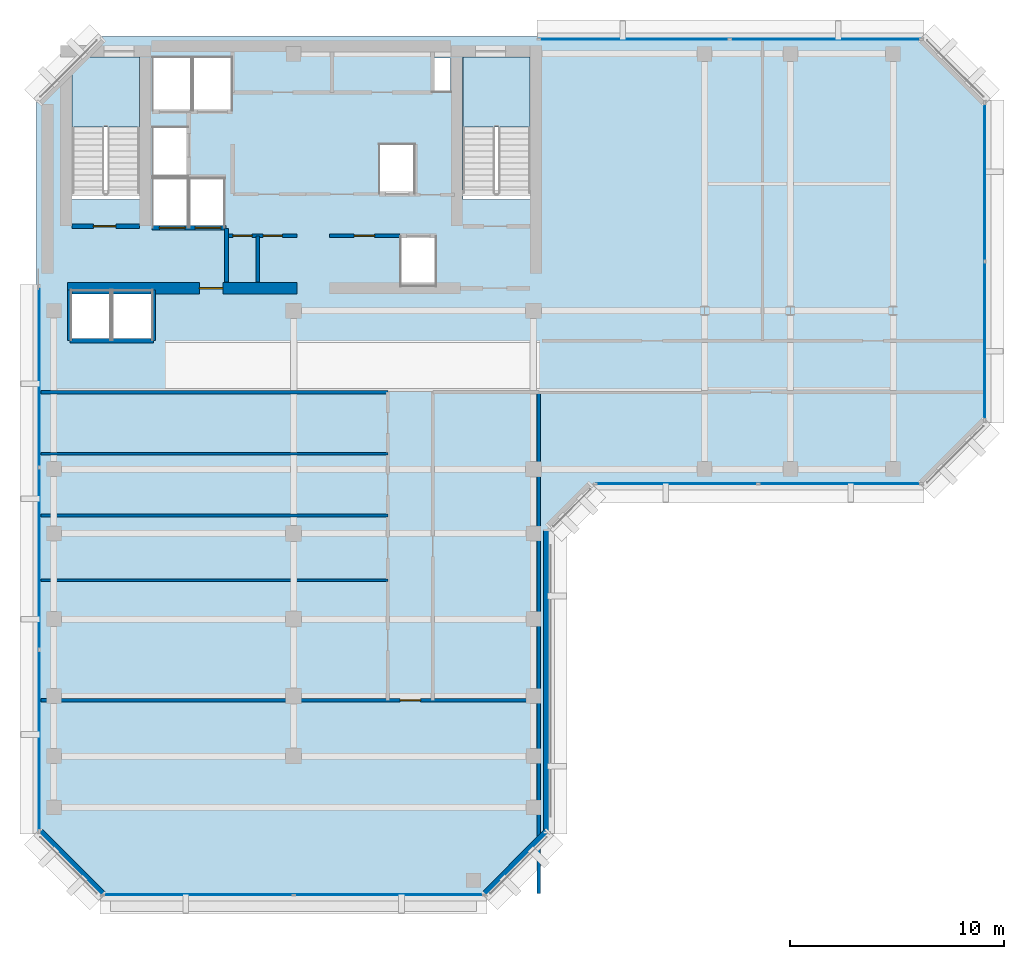
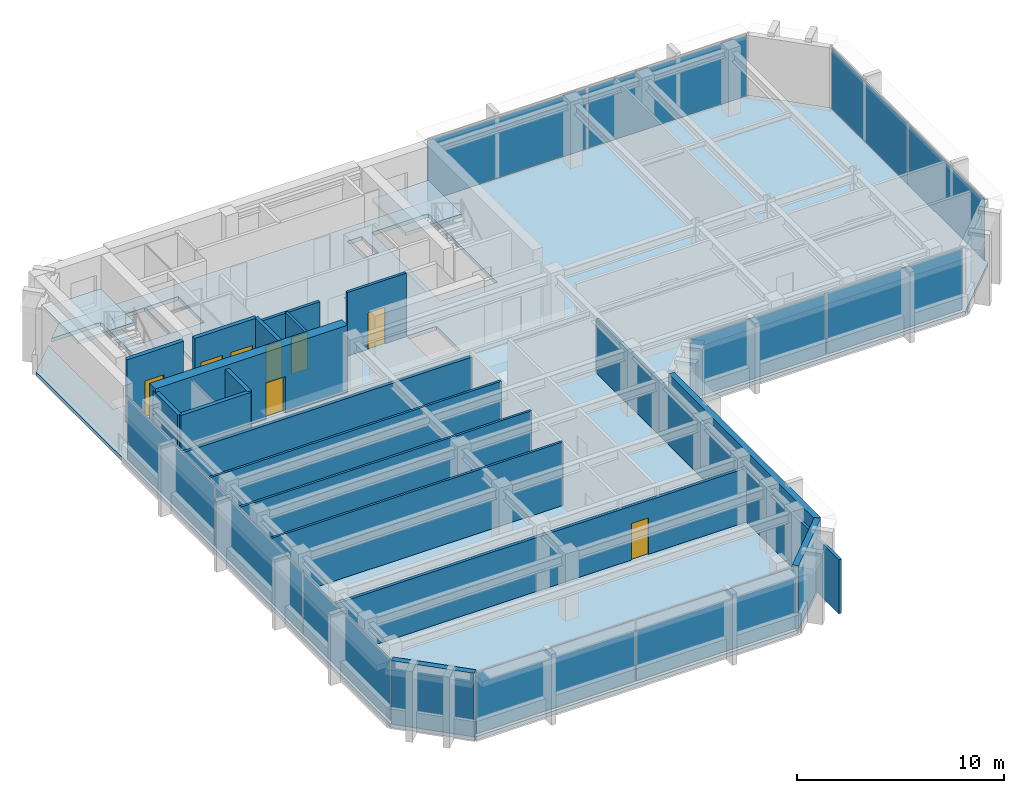
# One storey, part 6 of 11: 19 walls, 11 plates, 8 doors, 3 slabs, 8 openings, 7 elements without a shape of their own.
"""IFC4 building model written with IfcOpenShell, lengths in metres."""

from ifc_helpers import new_model, si_unit, direction, frame, frame_2d, origin, origin_2d, place, context, subcontext, project, spatial, polyline, rectangle, outline, extrude, material, layer, layer_set, type_object, element, fill, aggregate, save


model = new_model("IFC4")

# Units and contexts
model_context = context("Model", 3, precision=1e-05, world=origin(), true_north=direction((0.0, 1.0)))
body_context = subcontext(model_context, "Body", "Model", "MODEL_VIEW")
ifc_project = project(units=[si_unit("LENGTHUNIT", "METRE"), si_unit("AREAUNIT", "SQUARE_METRE"), si_unit("VOLUMEUNIT", "CUBIC_METRE"), si_unit("PLANEANGLEUNIT", "RADIAN"), si_unit("MASSUNIT", "GRAM", prefix="KILO")], contexts=[model_context])

# Site, building, storey
site_placement = place(None, origin())
site = spatial("IfcSite", under=ifc_project, at=site_placement, CompositionType="ELEMENT")
building_placement = place(site_placement, origin())
building = spatial("IfcBuilding", under=site, at=building_placement, Name="Kefirva Bronze Tower", CompositionType="ELEMENT")
storey_placement = place(building_placement, frame((0.0, 0.0, 276.2099609375)))
storey = spatial("IfcBuildingStorey", under=building, at=storey_placement, Name="L67", CompositionType="ELEMENT", Elevation=276.2099609375)

# Stair, slab
ifc_material_1 = material(Name="Concrete C40/50", Category="concrete")
stair_type = type_object("IfcStairType", Name="RC Dogleg Protected Stair 24R", PredefinedType="HALF_TURN_STAIR", material=ifc_material_1)
stair_1_placement = place(storey_placement, origin())
stair_1 = element("IfcStair", 1, at=stair_1_placement, inside=storey, type_object=stair_type, Name="L67 Protected Exit Stair 1", PredefinedType="HALF_TURN_STAIR")
ifc_layer_1 = layer(ifc_material_1, 0.199951171875, Name="Concrete C40/50")
ifc_layer_set_1 = layer_set([ifc_layer_1], Name="Concrete C40/50")
slab_type_1 = type_object("IfcSlabType", Name="RC Stair Landing Slab 200mm", PredefinedType="LANDING", material=ifc_layer_set_1)
slab_1_placement = place(storey_placement, frame((0.0, 0.0, 1.780029296875)))
slab_1 = element("IfcSlab", 2, at=slab_1_placement, type_object=slab_type_1, Name="ST-1 landing 1", PredefinedType="LANDING", context=body_context, shape_type="SweptSolid", body=[
    extrude(outline(polyline([(4.800048828125, 41.780029296875), (4.800048828125, 45.050048828125), (1.64990234375, 45.050048828125), (1.64990234375, 41.780029296875), (4.800048828125, 41.780029296875)])), origin(), (0.0, 0.0, 1.0), 0.199951171875),
])
aggregate(stair_1, [slab_1])

stair_2_placement = place(storey_placement, origin())
stair_2 = element("IfcStair", 3, at=stair_2_placement, inside=storey, type_object=stair_type, Name="L67 Protected Exit Stair 2", PredefinedType="HALF_TURN_STAIR")
slab_2_placement = place(storey_placement, frame((0.0, 0.0, 1.780029296875)))
slab_2 = element("IfcSlab", 4, at=slab_2_placement, type_object=slab_type_1, Name="ST-2 landing 1", PredefinedType="LANDING", context=body_context, shape_type="SweptSolid", body=[
    extrude(outline(polyline([(23.050048828125, 41.780029296875), (23.050048828125, 45.050048828125), (19.89990234375, 45.050048828125), (19.89990234375, 41.780029296875), (23.050048828125, 41.780029296875)])), origin(), (0.0, 0.0, 1.0), 0.199951171875),
])
aggregate(stair_2, [slab_2])

# Slab
ifc_layer_2 = layer(ifc_material_1, 0.219970703125, Name="Concrete C40/50")
ifc_layer_set_2 = layer_set([ifc_layer_2], Name="Concrete C40/50")
slab_type_2 = type_object("IfcSlabType", Name="RC Upper Floor Slab 220mm", PredefinedType="FLOOR", material=ifc_layer_set_2)
slab_3_placement = place(storey_placement, frame((0.0, 0.0, -0.219970703125)))
element("IfcSlab", 5, at=slab_3_placement, inside=storey, type_object=slab_type_2, Name="L67 Structural Floor Slab", PredefinedType="FLOOR", context=body_context, shape_type="SweptSolid", body=[
    extrude(outline(polyline([(0.0, 8.800048828125), (0.0, 43.0), (1.64990234375, 44.64990234375), (1.64990234375, 38.39990234375), (4.800048828125, 38.39990234375), (4.800048828125, 45.050048828125), (2.050048828125, 45.050048828125), (3.0, 46.0), (41.39990234375, 46.0), (44.39990234375, 43.0), (44.39990234375, 28.0), (41.39990234375, 25.0), (26.0, 25.0), (24.0, 23.0), (24.0, 8.800048828125), (21.0, 5.800048828125), (3.0, 5.800048828125), (0.0, 8.800048828125)]), holes=[polyline([(23.050048828125, 45.050048828125), (19.89990234375, 45.050048828125), (19.89990234375, 38.39990234375), (23.050048828125, 38.39990234375), (23.050048828125, 45.050048828125)]), polyline([(19.320068359375, 43.419921875), (19.320068359375, 45.0), (18.52001953125, 45.0), (18.52001953125, 43.419921875), (19.320068359375, 43.419921875)]), polyline([(18.64990234375, 36.64990234375), (17.0, 36.64990234375), (17.0, 34.35009765625), (18.64990234375, 34.35009765625), (18.64990234375, 36.64990234375)]), polyline([(17.64990234375, 38.679931640625), (17.64990234375, 40.97998046875), (16.0, 40.97998046875), (16.0, 38.679931640625), (17.64990234375, 38.679931640625)]), polyline([(9.1201171875, 42.550048828125), (9.1201171875, 45.050048828125), (7.300048828125, 45.050048828125), (7.300048828125, 42.550048828125), (9.1201171875, 42.550048828125)]), polyline([(8.780029296875, 37.10009765625), (8.780029296875, 39.39990234375), (7.139892578125, 39.39990234375), (7.139892578125, 37.10009765625), (8.780029296875, 37.10009765625)]), polyline([(7.239990234375, 42.550048828125), (7.239990234375, 45.050048828125), (5.419921875, 45.050048828125), (5.419921875, 42.550048828125), (7.239990234375, 42.550048828125)]), polyline([(7.06005859375, 37.10009765625), (7.06005859375, 39.39990234375), (5.419921875, 39.39990234375), (5.419921875, 37.10009765625), (7.06005859375, 37.10009765625)]), polyline([(7.06005859375, 41.780029296875), (5.419921875, 41.780029296875), (5.419921875, 39.47998046875), (7.06005859375, 39.47998046875), (7.06005859375, 41.780029296875)]), polyline([(5.39990234375, 31.85009765625), (5.39990234375, 34.14990234375), (3.550048828125, 34.14990234375), (3.550048828125, 31.85009765625), (5.39990234375, 31.85009765625)]), polyline([(3.449951171875, 34.14990234375), (1.60009765625, 34.14990234375), (1.60009765625, 31.85009765625), (3.449951171875, 31.85009765625), (3.449951171875, 34.14990234375)])]), origin(), (0.0, 0.0, 1.0), 0.219970703125),
])

# Curtain wall, plates
ifc_material_2 = material(Name="Bronze anodised aluminium", Category="aluminium")
ifc_layer_3 = layer(ifc_material_2, 0.179931640625, Name="Bronze anodised aluminium")
ifc_layer_set_3 = layer_set([ifc_layer_3], Name="Bronze anodised aluminium")
curtain_wall_type = type_object("IfcCurtainWallType", Name="Unitised Bronze Ribbon Curtain Wall Zone 4", PredefinedType="USERDEFINED", material=ifc_layer_set_3)
curtain_wall_1_placement = place(storey_placement, origin())
curtain_wall_1 = element("IfcCurtainWall", 6, at=curtain_wall_1_placement, inside=storey, type_object=curtain_wall_type, Name="L67 Curtain Wall 1", ObjectType="UNITISED CURTAIN WALL", PredefinedType="USERDEFINED")
ifc_material_3 = material(Name="Laminated low-E double glazing", Category="glass")
ifc_layer_4 = layer(ifc_material_3, 0.031982421875, Name="Laminated low-E double glazing")
ifc_layer_set_4 = layer_set([ifc_layer_4], Name="Laminated low-E double glazing")
plate_type = type_object("IfcPlateType", Name="Solar-Control Low-E Vision Panel 32mm", PredefinedType="CURTAIN_PANEL", material=ifc_layer_set_4)
plate_1_placement = place(storey_placement, frame((7.546142578125, 5.919921875, 0.0751953125), z_axis=(0.0, 0.0, 1.0), x_axis=(1.0, 0.0, 0.0)))
plate_1 = element("IfcPlate", 7, at=plate_1_placement, type_object=plate_type, Name="CW-04 panel 1.1", PredefinedType="CURTAIN_PANEL", context=body_context, shape_type="SweptSolid", body=[
    extrude(rectangle(XDim=8.83251953125, YDim=0.031982421875, at=origin_2d()), origin(), (0.0, 0.0, 1.0), 3.590087890625),
])
plate_2_placement = place(storey_placement, frame((16.453857421875, 5.919921875, 0.0751953125), z_axis=(0.0, 0.0, 1.0), x_axis=(1.0, 0.0, 0.0)))
plate_2 = element("IfcPlate", 8, at=plate_2_placement, type_object=plate_type, Name="CW-04 panel 2.1", PredefinedType="CURTAIN_PANEL", context=body_context, shape_type="SweptSolid", body=[
    extrude(rectangle(XDim=8.83251953125, YDim=0.031982421875, at=origin_2d()), origin(), (0.0, 0.0, 1.0), 3.590087890625),
])
aggregate(curtain_wall_1, [plate_1, plate_2])

curtain_wall_2_placement = place(storey_placement, origin())
curtain_wall_2 = element("IfcCurtainWall", 9, at=curtain_wall_2_placement, inside=storey, type_object=curtain_wall_type, Name="L67 Curtain Wall 2", ObjectType="UNITISED CURTAIN WALL", PredefinedType="USERDEFINED")
plate_3_placement = place(storey_placement, frame((29.896240234375, 25.1201171875, 0.0751953125), z_axis=(0.0, 0.0, 1.0), x_axis=(1.0, 0.0, 0.0)))
plate_3 = element("IfcPlate", 10, at=plate_3_placement, type_object=plate_type, Name="CW-04 panel 1.1", PredefinedType="CURTAIN_PANEL", context=body_context, shape_type="SweptSolid", body=[
    extrude(rectangle(XDim=7.532470703125, YDim=0.031982421875, at=origin_2d()), origin(), (0.0, 0.0, 1.0), 3.590087890625),
])
plate_4_placement = place(storey_placement, frame((37.503662109375, 25.1201171875, 0.0751953125), z_axis=(0.0, 0.0, 1.0), x_axis=(1.0, 0.0, 0.0)))
plate_4 = element("IfcPlate", 11, at=plate_4_placement, type_object=plate_type, Name="CW-04 panel 2.1", PredefinedType="CURTAIN_PANEL", context=body_context, shape_type="SweptSolid", body=[
    extrude(rectangle(XDim=7.532470703125, YDim=0.031982421875, at=origin_2d()), origin(), (0.0, 0.0, 1.0), 3.590087890625),
])
aggregate(curtain_wall_2, [plate_3, plate_4])

curtain_wall_3_placement = place(storey_placement, origin())
curtain_wall_3 = element("IfcCurtainWall", 12, at=curtain_wall_3_placement, inside=storey, type_object=curtain_wall_type, Name="L67 Curtain Wall 3", ObjectType="UNITISED CURTAIN WALL", PredefinedType="USERDEFINED")
plate_5_placement = place(storey_placement, frame((44.280029296875, 31.796142578125, 0.0751953125), z_axis=(0.0, 0.0, 1.0), x_axis=(0.0, 1.0, 0.0)))
plate_5 = element("IfcPlate", 13, at=plate_5_placement, type_object=plate_type, Name="CW-04 panel 1.1", PredefinedType="CURTAIN_PANEL", context=body_context, shape_type="SweptSolid", body=[
    extrude(rectangle(XDim=7.33251953125, YDim=0.031982421875, at=origin_2d()), origin(), (0.0, 0.0, 1.0), 3.590087890625),
])
plate_6_placement = place(storey_placement, frame((44.280029296875, 39.203857421875, 0.0751953125), z_axis=(0.0, 0.0, 1.0), x_axis=(0.0, 1.0, 0.0)))
plate_6 = element("IfcPlate", 14, at=plate_6_placement, type_object=plate_type, Name="CW-04 panel 2.1", PredefinedType="CURTAIN_PANEL", context=body_context, shape_type="SweptSolid", body=[
    extrude(rectangle(XDim=7.33251953125, YDim=0.031982421875, at=origin_2d()), origin(), (0.0, 0.0, 1.0), 3.590087890625),
])
aggregate(curtain_wall_3, [plate_5, plate_6])

curtain_wall_4_placement = place(storey_placement, origin())
curtain_wall_4 = element("IfcCurtainWall", 15, at=curtain_wall_4_placement, inside=storey, type_object=curtain_wall_type, Name="L67 Curtain Wall 4", ObjectType="UNITISED CURTAIN WALL", PredefinedType="USERDEFINED")
plate_7_placement = place(storey_placement, frame((36.84130859375, 45.8798828125, 0.0751953125), z_axis=(0.0, 0.0, 1.0), x_axis=(-1.0, 0.0, 0.0)))
plate_7 = element("IfcPlate", 16, at=plate_7_placement, type_object=plate_type, Name="CW-04 panel 1.1", PredefinedType="CURTAIN_PANEL", context=body_context, shape_type="SweptSolid", body=[
    extrude(rectangle(XDim=8.857421875, YDim=0.031982421875, at=origin_2d()), origin(), (0.0, 0.0, 1.0), 3.590087890625),
])
plate_8_placement = place(storey_placement, frame((27.90869140625, 45.8798828125, 0.0751953125), z_axis=(0.0, 0.0, 1.0), x_axis=(-1.0, 0.0, 0.0)))
plate_8 = element("IfcPlate", 17, at=plate_8_placement, type_object=plate_type, Name="CW-04 panel 2.1", PredefinedType="CURTAIN_PANEL", context=body_context, shape_type="SweptSolid", body=[
    extrude(rectangle(XDim=8.857421875, YDim=0.031982421875, at=origin_2d()), origin(), (0.0, 0.0, 1.0), 3.590087890625),
])
aggregate(curtain_wall_4, [plate_7, plate_8])

curtain_wall_5_placement = place(storey_placement, origin())
curtain_wall_5 = element("IfcCurtainWall", 18, at=curtain_wall_5_placement, inside=storey, type_object=curtain_wall_type, Name="L67 Curtain Wall 5", ObjectType="UNITISED CURTAIN WALL", PredefinedType="USERDEFINED")
plate_9_placement = place(storey_placement, frame((0.1201171875, 30.11962890625, 0.0751953125), z_axis=(0.0, 0.0, 1.0), x_axis=(0.0, -1.0, 0.0)))
plate_9 = element("IfcPlate", 19, at=plate_9_placement, type_object=plate_type, Name="CW-04 panel 1.1", PredefinedType="CURTAIN_PANEL", context=body_context, shape_type="SweptSolid", body=[
    extrude(rectangle(XDim=8.40087890625, YDim=0.031982421875, at=origin_2d()), origin(), (0.0, 0.0, 1.0), 3.590087890625),
])
plate_10_placement = place(storey_placement, frame((0.1201171875, 21.625, 0.0751953125), z_axis=(0.0, 0.0, 1.0), x_axis=(0.0, -1.0, 0.0)))
plate_10 = element("IfcPlate", 20, at=plate_10_placement, type_object=plate_type, Name="CW-04 panel 2.1", PredefinedType="CURTAIN_PANEL", context=body_context, shape_type="SweptSolid", body=[
    extrude(rectangle(XDim=8.438232421875, YDim=0.031982421875, at=origin_2d()), origin(), (0.0, 0.0, 1.0), 3.590087890625),
])
plate_11_placement = place(storey_placement, frame((0.1201171875, 13.13037109375, 0.0751953125), z_axis=(0.0, 0.0, 1.0), x_axis=(0.0, -1.0, 0.0)))
plate_11 = element("IfcPlate", 21, at=plate_11_placement, type_object=plate_type, Name="CW-04 panel 3.1", PredefinedType="CURTAIN_PANEL", context=body_context, shape_type="SweptSolid", body=[
    extrude(rectangle(XDim=8.40087890625, YDim=0.031982421875, at=origin_2d()), origin(), (0.0, 0.0, 1.0), 3.590087890625),
])
aggregate(curtain_wall_5, [plate_9, plate_10, plate_11])

# Walls
ifc_material_4 = material(Name="Gypsum acoustic partition")
ifc_layer_5 = layer(ifc_material_4, 0.1298828125, Name="Gypsum acoustic partition")
ifc_layer_set_5 = layer_set([ifc_layer_5], Name="Gypsum acoustic partition")
wall_type_1 = type_object("IfcWallType", Name="Acoustic Office Partition 130mm", PredefinedType="PARTITIONING", material=ifc_layer_set_5)
for number, where, z_axis, x_axis, name in (
    (22, (0.18994140625, 20.615966796875, 0.0), (0.0, 0.0, 1.0), (1.0, 0.0, 0.0), "L67 Partition W-L67-SWD1"),
    (23, (0.18994140625, 23.639892578125, 0.0), (0.0, 0.0, 1.0), (1.0, 0.0, 0.0), "L67 Partition W-L67-SWD2"),
    (24, (0.18994140625, 26.52001953125, 0.0), (0.0, 0.0, 1.0), (1.0, 0.0, 0.0), "L67 Partition W-L67-SWD3"),
):
    element("IfcWall", number, at=place(storey_placement, frame(where, z_axis=z_axis, x_axis=x_axis)), inside=storey, type_object=wall_type_1, Name=name, PredefinedType="PARTITIONING", context=body_context, shape_type="SweptSolid", body=[
        extrude(rectangle(XDim=16.2099609375, YDim=0.1298828125, at=frame_2d((8.10498046875, 0.0))), origin(), (0.0, 0.0, 1.0), 3.739990234375),
    ])

# Wall, opening, door
ifc_layer_6 = layer(ifc_material_4, 0.14990234375, Name="Gypsum acoustic partition")
ifc_layer_set_6 = layer_set([ifc_layer_6], Name="Gypsum acoustic partition")
wall_type_2 = type_object("IfcWallType", Name="Executive Suite Partition 150mm", PredefinedType="PARTITIONING", material=ifc_layer_set_6)
wall_1_placement = place(storey_placement, frame((13.679931640625, 36.699951171875, 0.0), z_axis=(0.0, 0.0, 1.0), x_axis=(1.0, 0.0, 0.0)))
wall_1 = element("IfcWall", 25, at=wall_1_placement, inside=storey, type_object=wall_type_2, Name="L67 Partition W-L67-RECMP1", PredefinedType="PARTITIONING", context=body_context, shape_type="SweptSolid", body=[
    extrude(rectangle(XDim=3.280029296875, YDim=0.14990234375, at=frame_2d((1.64013671875, 0.0))), origin(), (0.0, 0.0, 1.0), 3.739990234375),
])
opening_1_placement = place(wall_1_placement, frame((1.14990234375, 0.0, 0.0)))
opening_1 = element("IfcOpeningElement", 26, at=opening_1_placement, cuts=wall_1, Name="Opening L67-D-RECMP1", PredefinedType="OPENING", context=body_context, shape_type="SweptSolid", body=[
    extrude(rectangle(XDim=0.949951171875, YDim=2.14990234375, at=frame_2d((0.47509765625, 1.074951171875))), frame((0.0, 0.0849609375, 0.0), z_axis=(0.0, -1.0, 0.0), x_axis=(1.0, 0.0, 0.0)), (0.0, 0.0, 1.0), 0.169921875),
])
ifc_material_5 = material(Name="Acoustic hardwood oak", Category="wood")
door_type_1 = type_object("IfcDoorType", Name="Office & Meeting Room Door 950x2150", OperationType="NOTDEFINED", PredefinedType="DOOR", material=ifc_material_5)
door_1_placement = place(opening_1_placement, origin())
door_1 = element("IfcDoor", 27, at=door_1_placement, inside=storey, type_object=door_type_1, Name="Door L67-D-RECMP1", OperationType="SINGLE_SWING_LEFT", OverallHeight=2.14990234375, OverallWidth=0.949951171875, PredefinedType="DOOR", context=body_context, shape_type="SweptSolid", body=[
    extrude(rectangle(XDim=0.949951171875, YDim=2.14990234375, at=frame_2d((0.47509765625, 1.074951171875))), frame((0.0, 0.02490234375, 0.0), z_axis=(0.0, -1.0, 0.0), x_axis=(1.0, 0.0, 0.0)), (0.0, 0.0, 1.0), 0.050048828125),
])
fill(opening_1, door_1)

ifc_material_6 = material(Name="Gypsum fireboard shaftwall")
ifc_layer_7 = layer(ifc_material_6, 0.219970703125, Name="Gypsum fireboard shaftwall")
ifc_layer_set_7 = layer_set([ifc_layer_7], Name="Gypsum fireboard shaftwall")
wall_type_3 = type_object("IfcWallType", Name="Fire-Rated Shaft Enclosure Wall 220mm", PredefinedType="PARTITIONING", material=ifc_layer_set_7)
wall_2_placement = place(storey_placement, frame((1.64990234375, 37.14990234375, 0.0), z_axis=(0.0, 0.0, 1.0), x_axis=(1.0, 0.0, 0.0)))
wall_2 = element("IfcWall", 28, at=wall_2_placement, inside=storey, type_object=wall_type_3, Name="L67 Partition W-L67-ST1S", PredefinedType="PARTITIONING", context=body_context, shape_type="SweptSolid", body=[
    extrude(rectangle(XDim=3.150146484375, YDim=0.219970703125, at=frame_2d((1.5751953125, 0.0))), origin(), (0.0, 0.0, 1.0), 3.739990234375),
])
opening_2_placement = place(wall_2_placement, frame((2.050048828125, 0.0, 0.0), z_axis=(0.0, 0.0, 1.0), x_axis=(-1.0, 0.0, 0.0)))
opening_2 = element("IfcOpeningElement", 29, at=opening_2_placement, cuts=wall_2, Name="Opening L67-D001", PredefinedType="OPENING", context=body_context, shape_type="SweptSolid", body=[
    extrude(rectangle(XDim=1.050048828125, YDim=2.14990234375, at=frame_2d((0.52490234375, 1.074951171875))), frame((0.0, 0.1201171875, 0.0), z_axis=(0.0, -1.0, 0.0), x_axis=(1.0, 0.0, 0.0)), (0.0, 0.0, 1.0), 0.239990234375),
])
ifc_material_7 = material(Name="Painted galvanized steel", Category="steel")
door_type_2 = type_object("IfcDoorType", Name="Fire Stair Enclosure Door 1050x2150 FD90S", OperationType="NOTDEFINED", PredefinedType="DOOR", material=ifc_material_7)
door_2_placement = place(opening_2_placement, origin())
door_2 = element("IfcDoor", 30, at=door_2_placement, inside=storey, type_object=door_type_2, Name="Door L67-D001", OperationType="SINGLE_SWING_LEFT", OverallHeight=2.14990234375, OverallWidth=1.050048828125, PredefinedType="DOOR", context=body_context, shape_type="SweptSolid", body=[
    extrude(rectangle(XDim=1.050048828125, YDim=2.14990234375, at=frame_2d((0.52490234375, 1.074951171875))), frame((0.0, 0.02490234375, 0.0), z_axis=(0.0, -1.0, 0.0), x_axis=(1.0, 0.0, 0.0)), (0.0, 0.0, 1.0), 0.050048828125),
])
fill(opening_2, door_2)

# Wall, openings, doors
wall_3_placement = place(storey_placement, frame((5.3798828125, 37.080078125, 0.0), z_axis=(0.0, 0.0, 1.0), x_axis=(1.0, 0.0, 0.0)))
wall_3 = element("IfcWall", 31, at=wall_3_placement, inside=storey, type_object=wall_type_3, Name="L67 Partition W-L67-FFS", PredefinedType="PARTITIONING", context=body_context, shape_type="SweptSolid", body=[
    extrude(rectangle(XDim=3.460205078125, YDim=0.219970703125, at=frame_2d((1.72998046875, 0.0))), origin(), (0.0, 0.0, 1.0), 3.739990234375),
])
opening_3_placement = place(wall_3_placement, frame((1.550048828125, 0.0, 0.0), z_axis=(0.0, 0.0, 1.0), x_axis=(-1.0, 0.0, 0.0)))
opening_3 = element("IfcOpeningElement", 32, at=opening_3_placement, cuts=wall_3, Name="Opening L67-LD-FF1", PredefinedType="OPENING", context=body_context, shape_type="SweptSolid", body=[
    extrude(rectangle(XDim=1.199951171875, YDim=2.199951171875, at=frame_2d((0.60009765625, 1.10009765625))), frame((0.0, 0.1201171875, 0.0), z_axis=(0.0, -1.0, 0.0), x_axis=(1.0, 0.0, 0.0)), (0.0, 0.0, 1.0), 0.239990234375),
])
opening_4_placement = place(wall_3_placement, frame((3.219970703125, 0.0, 0.0), z_axis=(0.0, 0.0, 1.0), x_axis=(-1.0, 0.0, 0.0)))
opening_4 = element("IfcOpeningElement", 33, at=opening_4_placement, cuts=wall_3, Name="Opening L67-LD-FF2", PredefinedType="OPENING", context=body_context, shape_type="SweptSolid", body=[
    extrude(rectangle(XDim=1.199951171875, YDim=2.199951171875, at=frame_2d((0.60009765625, 1.10009765625))), frame((0.0, 0.1201171875, 0.0), z_axis=(0.0, -1.0, 0.0), x_axis=(1.0, 0.0, 0.0)), (0.0, 0.0, 1.0), 0.239990234375),
])
ifc_material_8 = material(Name="Stainless steel 316", Category="steel")
door_type_3 = type_object("IfcDoorType", Name="Firefighting Lift Sliding Door 1200x2200", OperationType="SLIDING_TO_RIGHT", PredefinedType="DOOR", material=ifc_material_8)
door_3_placement = place(opening_3_placement, origin())
door_3 = element("IfcDoor", 34, at=door_3_placement, inside=storey, type_object=door_type_3, Name="Door L67-LD-FF1", OperationType="SLIDING_TO_RIGHT", OverallHeight=2.199951171875, OverallWidth=1.199951171875, PredefinedType="DOOR", context=body_context, shape_type="SweptSolid", body=[
    extrude(rectangle(XDim=1.199951171875, YDim=2.199951171875, at=frame_2d((0.60009765625, 1.10009765625))), frame((0.0, 0.02490234375, 0.0), z_axis=(0.0, -1.0, 0.0), x_axis=(1.0, 0.0, 0.0)), (0.0, 0.0, 1.0), 0.050048828125),
])
fill(opening_3, door_3)
door_4_placement = place(opening_4_placement, origin())
door_4 = element("IfcDoor", 35, at=door_4_placement, inside=storey, type_object=door_type_3, Name="Door L67-LD-FF2", OperationType="SLIDING_TO_RIGHT", OverallHeight=2.199951171875, OverallWidth=1.199951171875, PredefinedType="DOOR", context=body_context, shape_type="SweptSolid", body=[
    extrude(rectangle(XDim=1.199951171875, YDim=2.199951171875, at=frame_2d((0.60009765625, 1.10009765625))), frame((0.0, 0.02490234375, 0.0), z_axis=(0.0, -1.0, 0.0), x_axis=(1.0, 0.0, 0.0)), (0.0, 0.0, 1.0), 0.050048828125),
])
fill(opening_4, door_4)

# Walls
wall_4_placement = place(storey_placement, frame((1.550048828125, 31.800048828125, 0.0), z_axis=(0.0, 0.0, 1.0), x_axis=(1.0, 0.0, 0.0)))
element("IfcWall", 36, at=wall_4_placement, inside=storey, type_object=wall_type_3, Name="L67 Partition W-L67-OBS", PredefinedType="PARTITIONING", context=body_context, shape_type="SweptSolid", body=[
    extrude(rectangle(XDim=3.89990234375, YDim=0.219970703125, at=frame_2d((1.949951171875, 0.0))), origin(), (0.0, 0.0, 1.0), 3.739990234375),
])
for number, where, z_axis, x_axis, name in (
    (37, (1.550048828125, 31.800048828125, 0.0), (0.0, 0.0, 1.0), (0.0, 1.0, 0.0), "L67 Partition W-L67-OBW"),
    (38, (5.449951171875, 31.800048828125, 0.0), (0.0, 0.0, 1.0), (0.0, 1.0, 0.0), "L67 Partition W-L67-OBE"),
):
    element("IfcWall", number, at=place(storey_placement, frame(where, z_axis=z_axis, x_axis=x_axis)), inside=storey, type_object=wall_type_3, Name=name, PredefinedType="PARTITIONING", context=body_context, shape_type="SweptSolid", body=[
        extrude(rectangle(XDim=2.3798828125, YDim=0.219970703125, at=frame_2d((1.18994140625, 0.0))), origin(), (0.0, 0.0, 1.0), 3.739990234375),
    ])
ifc_material_9 = material(Name="Gypsum fireboard barrier")
ifc_layer_8 = layer(ifc_material_9, 0.199951171875, Name="Gypsum fireboard barrier")
ifc_layer_set_8 = layer_set([ifc_layer_8], Name="Gypsum fireboard barrier")
wall_type_4 = type_object("IfcWallType", Name="Firefighting Lobby Barrier Wall 200mm", PredefinedType="PARTITIONING", material=ifc_layer_set_8)
wall_5_placement = place(storey_placement, frame((8.860107421875, 34.550048828125, 0.0), z_axis=(0.0, 0.0, 1.0), x_axis=(0.0, 1.0, 0.0)))
element("IfcWall", 39, at=wall_5_placement, inside=storey, type_object=wall_type_4, Name="L67 Partition W-L67-FFLE", PredefinedType="PARTITIONING", context=body_context, shape_type="SweptSolid", body=[
    extrude(rectangle(XDim=2.5, YDim=0.199951171875, at=frame_2d((1.25, 0.0))), origin(), (0.0, 0.0, 1.0), 3.739990234375),
])
ifc_material_10 = material(Name="Precast concrete C40/50", Category="concrete")
ifc_layer_9 = layer(ifc_material_10, 0.320068359375, Name="Precast concrete C40/50")
ifc_layer_set_9 = layer_set([ifc_layer_9], Name="Precast concrete C40/50")
wall_type_5 = type_object("IfcWallType", Name="Precast Insulated Exterior Wall 320mm", PredefinedType="SOLIDWALL", material=ifc_layer_set_9)
wall_6_placement = place(storey_placement, frame((20.92578125, 5.951904296875, 0.0), z_axis=(0.0, 0.0, 1.0), x_axis=(0.707077242712, 0.707136318428, 0.0)))
element("IfcWall", 40, at=wall_6_placement, inside=storey, type_object=wall_type_5, Name="L67 Exterior Facade Wall 1", PredefinedType="SOLIDWALL", context=body_context, shape_type="SweptSolid", body=[
    extrude(rectangle(XDim=4.132568359375, YDim=0.320068359375, at=frame_2d((2.06640625, 0.0))), origin(), (0.0, 0.0, 1.0), 3.739990234375),
])
wall_7_placement = place(storey_placement, frame((23.840087890625, 8.85498046875, 0.0), z_axis=(0.0, 0.0, 1.0), x_axis=(0.0, 1.0, 0.0)))
element("IfcWall", 41, at=wall_7_placement, inside=storey, type_object=wall_type_5, Name="L67 Exterior Facade Wall 2", PredefinedType="SOLIDWALL", context=body_context, shape_type="SweptSolid", body=[
    extrude(rectangle(XDim=14.090087890625, YDim=0.320068359375, at=frame_2d((7.044921875, 0.0))), origin(), (0.0, 0.0, 1.0), 3.739990234375),
])
wall_8_placement = place(storey_placement, frame((0.152099609375, 8.874267578125, 0.0), z_axis=(0.0, 0.0, 1.0), x_axis=(0.707077242712, -0.707136318428, 0.0)))
element("IfcWall", 42, at=wall_8_placement, inside=storey, type_object=wall_type_5, Name="L67 Exterior Facade Wall 7", PredefinedType="SOLIDWALL", context=body_context, shape_type="SweptSolid", body=[
    extrude(rectangle(XDim=4.132568359375, YDim=0.320068359375, at=frame_2d((2.06640625, 0.0))), origin(), (0.0, 0.0, 1.0), 3.739990234375),
])

# Wall, openings, doors
ifc_layer_10 = layer(ifc_material_4, 0.159912109375, Name="Gypsum acoustic partition")
ifc_layer_set_10 = layer_set([ifc_layer_10], Name="Gypsum acoustic partition")
wall_type_6 = type_object("IfcWallType", Name="Protected Corridor Partition 160mm", PredefinedType="PARTITIONING", material=ifc_layer_set_10)
wall_9_placement = place(storey_placement, frame((8.89990234375, 36.699951171875, 0.0), z_axis=(0.0, 0.0, 1.0), x_axis=(1.0, 0.0, 0.0)))
wall_9 = element("IfcWall", 43, at=wall_9_placement, inside=storey, type_object=wall_type_6, Name="L67 Partition W-L67-RECLP1", PredefinedType="PARTITIONING", context=body_context, shape_type="SweptSolid", body=[
    extrude(rectangle(XDim=3.25, YDim=0.159912109375, at=frame_2d((1.625, 0.0))), origin(), (0.0, 0.0, 1.0), 3.739990234375),
])
opening_5_placement = place(wall_9_placement, frame((0.260009765625, 0.0, 0.0)))
opening_5 = element("IfcOpeningElement", 44, at=opening_5_placement, cuts=wall_9, Name="Opening L67-D-RECLP1A", PredefinedType="OPENING", context=body_context, shape_type="SweptSolid", body=[
    extrude(rectangle(XDim=0.89990234375, YDim=2.14990234375, at=frame_2d((0.449951171875, 1.074951171875))), frame((0.0, 0.08984375, 0.0), z_axis=(0.0, -1.0, 0.0), x_axis=(1.0, 0.0, 0.0)), (0.0, 0.0, 1.0), 0.179931640625),
])
opening_6_placement = place(wall_9_placement, frame((1.679931640625, 0.0, 0.0)))
opening_6 = element("IfcOpeningElement", 45, at=opening_6_placement, cuts=wall_9, Name="Opening L67-D-RECLP1B", PredefinedType="OPENING", context=body_context, shape_type="SweptSolid", body=[
    extrude(rectangle(XDim=0.89990234375, YDim=2.14990234375, at=frame_2d((0.449951171875, 1.074951171875))), frame((0.0, 0.08984375, 0.0), z_axis=(0.0, -1.0, 0.0), x_axis=(1.0, 0.0, 0.0)), (0.0, 0.0, 1.0), 0.179931640625),
])
door_type_4 = type_object("IfcDoorType", Name="Core Archive & Server Fire Door 900x2150 FD60S", OperationType="NOTDEFINED", PredefinedType="DOOR", material=ifc_material_7)
door_5_placement = place(opening_5_placement, origin())
door_5 = element("IfcDoor", 46, at=door_5_placement, inside=storey, type_object=door_type_4, Name="Door L67-D-RECLP1A", OperationType="SINGLE_SWING_RIGHT", OverallHeight=2.14990234375, OverallWidth=0.89990234375, PredefinedType="DOOR", context=body_context, shape_type="SweptSolid", body=[
    extrude(rectangle(XDim=0.89990234375, YDim=2.14990234375, at=frame_2d((0.449951171875, 1.074951171875))), frame((0.0, 0.02490234375, 0.0), z_axis=(0.0, -1.0, 0.0), x_axis=(1.0, 0.0, 0.0)), (0.0, 0.0, 1.0), 0.050048828125),
])
fill(opening_5, door_5)
door_6_placement = place(opening_6_placement, origin())
door_6 = element("IfcDoor", 47, at=door_6_placement, inside=storey, type_object=door_type_4, Name="Door L67-D-RECLP1B", OperationType="SINGLE_SWING_LEFT", OverallHeight=2.14990234375, OverallWidth=0.89990234375, PredefinedType="DOOR", context=body_context, shape_type="SweptSolid", body=[
    extrude(rectangle(XDim=0.89990234375, YDim=2.14990234375, at=frame_2d((0.449951171875, 1.074951171875))), frame((0.0, 0.02490234375, 0.0), z_axis=(0.0, -1.0, 0.0), x_axis=(1.0, 0.0, 0.0)), (0.0, 0.0, 1.0), 0.050048828125),
])
fill(opening_6, door_6)

# Wall
wall_10_placement = place(storey_placement, frame((10.320068359375, 34.550048828125, 0.0), z_axis=(0.0, 0.0, 1.0), x_axis=(0.0, 1.0, 0.0)))
element("IfcWall", 48, at=wall_10_placement, inside=storey, type_object=wall_type_6, Name="L67 Partition W-L67-RECLP1D", PredefinedType="PARTITIONING", context=body_context, shape_type="SweptSolid", body=[
    extrude(rectangle(XDim=2.14990234375, YDim=0.159912109375, at=frame_2d((1.074951171875, 0.0))), origin(), (0.0, 0.0, 1.0), 3.739990234375),
])

# Wall, opening, door
wall_11_placement = place(storey_placement, frame((0.18994140625, 15.0, 0.0), z_axis=(0.0, 0.0, 1.0), x_axis=(1.0, 0.0, 0.0)))
wall_11 = element("IfcWall", 49, at=wall_11_placement, inside=storey, type_object=wall_type_6, Name="L67 Partition W-L67-SBEND", PredefinedType="PARTITIONING", context=body_context, shape_type="SweptSolid", body=[
    extrude(rectangle(XDim=23.260009765625, YDim=0.159912109375, at=frame_2d((11.6298828125, 0.0))), origin(), (0.0, 0.0, 1.0), 3.175048828125),
])
opening_7_placement = place(wall_11_placement, frame((16.7900390625, 0.0, 0.0)))
opening_7 = element("IfcOpeningElement", 50, at=opening_7_placement, cuts=wall_11, Name="Opening L67-D-SEND1", PredefinedType="OPENING", context=body_context, shape_type="SweptSolid", body=[
    extrude(rectangle(XDim=0.949951171875, YDim=2.14990234375, at=frame_2d((0.47509765625, 1.074951171875))), frame((0.0, 0.08984375, 0.0), z_axis=(0.0, -1.0, 0.0), x_axis=(1.0, 0.0, 0.0)), (0.0, 0.0, 1.0), 0.179931640625),
])
door_7_placement = place(opening_7_placement, origin())
door_7 = element("IfcDoor", 51, at=door_7_placement, inside=storey, type_object=door_type_1, Name="Door L67-D-SEND1", OperationType="SINGLE_SWING_LEFT", OverallHeight=2.14990234375, OverallWidth=0.949951171875, PredefinedType="DOOR", context=body_context, shape_type="SweptSolid", body=[
    extrude(rectangle(XDim=0.949951171875, YDim=2.14990234375, at=frame_2d((0.47509765625, 1.074951171875))), frame((0.0, 0.02490234375, 0.0), z_axis=(0.0, -1.0, 0.0), x_axis=(1.0, 0.0, 0.0)), (0.0, 0.0, 1.0), 0.050048828125),
])
fill(opening_7, door_7)

# Walls
wall_12_placement = place(storey_placement, frame((0.18994140625, 29.39990234375, 0.0), z_axis=(0.0, 0.0, 1.0), x_axis=(1.0, 0.0, 0.0)))
element("IfcWall", 52, at=wall_12_placement, inside=storey, type_object=wall_type_6, Name="L67 Partition W-L67-NWT", PredefinedType="PARTITIONING", context=body_context, shape_type="SweptSolid", body=[
    extrude(rectangle(XDim=16.2099609375, YDim=0.159912109375, at=frame_2d((8.10498046875, 0.0))), origin(), (0.0, 0.0, 1.0), 3.425048828125),
])
wall_13_placement = place(storey_placement, frame((23.449951171875, 5.989990234375, 0.0), z_axis=(0.0, 0.0, 1.0), x_axis=(0.0, 1.0, 0.0)))
element("IfcWall", 53, at=wall_13_placement, inside=storey, type_object=wall_type_6, Name="L67 Partition W-L67-SWEAST", PredefinedType="PARTITIONING", context=body_context, shape_type="SweptSolid", body=[
    extrude(rectangle(XDim=23.409912109375, YDim=0.159912109375, at=frame_2d((11.705078125, 0.0))), origin(), (0.0, 0.0, 1.0), 3.175048828125),
])

# Wall, opening, door
ifc_material_11 = material(Name="Concrete C50/60", Category="concrete")
ifc_layer_11 = layer(ifc_material_11, 0.550048828125, Name="Concrete C50/60")
ifc_layer_set_11 = layer_set([ifc_layer_11], Name="Concrete C50/60")
wall_type_7 = type_object("IfcWallType", Name="RC Rear Core Interior Wall 550mm", PredefinedType="SHEAR", material=ifc_layer_set_11)
wall_14_placement = place(storey_placement, frame((1.449951171875, 34.25, 0.0), z_axis=(0.0, 0.0, 1.0), x_axis=(1.0, 0.0, 0.0)))
wall_14 = element("IfcWall", 54, at=wall_14_placement, inside=storey, type_object=wall_type_7, Name="L67 Rear Core South-West Shear Wall", PredefinedType="SHEAR", context=body_context, shape_type="SweptSolid", body=[
    extrude(rectangle(XDim=10.7099609375, YDim=0.550048828125, at=frame_2d((5.35498046875, 0.0))), origin(), (0.0, 0.0, 1.0), 3.9599609375),
])
opening_8_placement = place(wall_14_placement, frame((7.25, 0.0, 0.0), z_axis=(0.0, 0.0, 1.0), x_axis=(-1.0, 0.0, 0.0)))
opening_8 = element("IfcOpeningElement", 55, at=opening_8_placement, cuts=wall_14, Name="Opening L67-D002", PredefinedType="OPENING", context=body_context, shape_type="SweptSolid", body=[
    extrude(rectangle(XDim=1.10009765625, YDim=2.14990234375, at=frame_2d((0.550048828125, 1.074951171875))), frame((0.0, 0.28515625, 0.0), z_axis=(0.0, -1.0, 0.0), x_axis=(1.0, 0.0, 0.0)), (0.0, 0.0, 1.0), 0.570068359375),
])
door_type_5 = type_object("IfcDoorType", Name="Firefighting Lobby Smoke Door 1100x2150 FD60S", OperationType="NOTDEFINED", PredefinedType="DOOR", material=ifc_material_7)
door_8_placement = place(opening_8_placement, origin())
door_8 = element("IfcDoor", 56, at=door_8_placement, inside=storey, type_object=door_type_5, Name="Door L67-D002", OperationType="SINGLE_SWING_RIGHT", OverallHeight=2.14990234375, OverallWidth=1.10009765625, PredefinedType="DOOR", context=body_context, shape_type="SweptSolid", body=[
    extrude(rectangle(XDim=1.10009765625, YDim=2.14990234375, at=frame_2d((0.550048828125, 1.074951171875))), frame((0.0, 0.02490234375, 0.0), z_axis=(0.0, -1.0, 0.0), x_axis=(1.0, 0.0, 0.0)), (0.0, 0.0, 1.0), 0.050048828125),
])
fill(opening_8, door_8)

save(model, "model.ifc")
